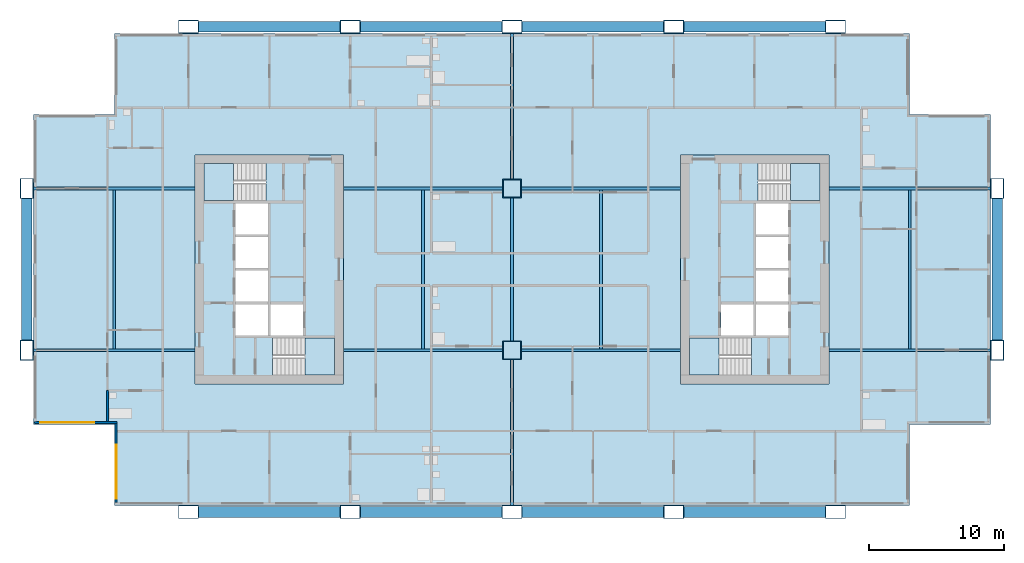
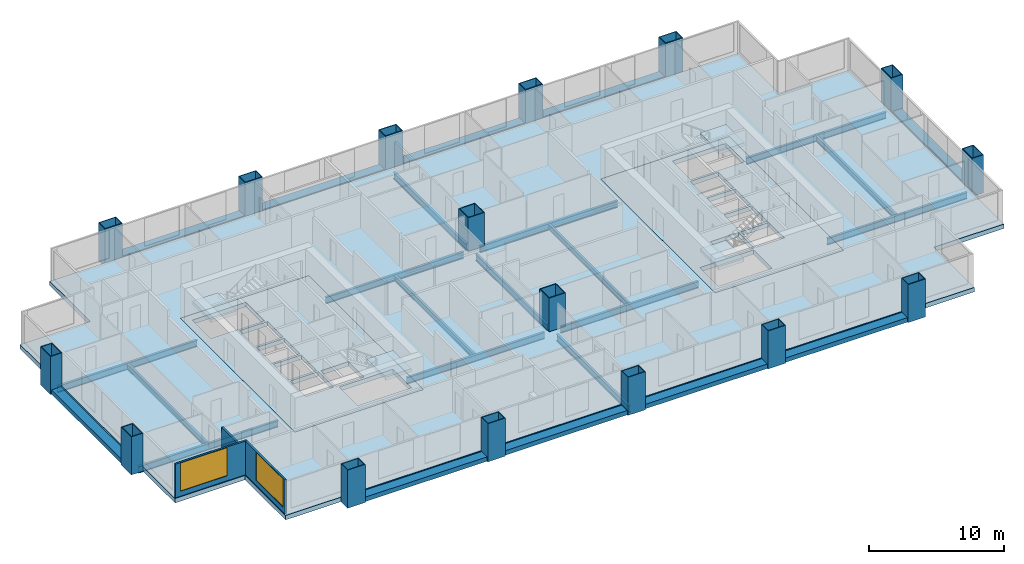
# One storey, part 1 of 11: 25 beams, 16 columns, 7 slabs, 3 walls, 2 windows, 2 openings, 4 elements without a shape of their own.
"""IFC4 building model written with IfcOpenShell, lengths in metres."""

from ifc_helpers import new_model, si_unit, direction, frame, frame_2d, origin, origin_2d, place, context, subcontext, project, spatial, polyline, rectangle, hollow_rectangle, i_section, outline, extrude, material, layer, layer_set, material_profile, profile_set, type_object, element, fill, aggregate, save


model = new_model("IFC4")

# Units and contexts
model_context = context("Model", 3, precision=1e-05, world=origin(), true_north=direction((0.0, 1.0)))
body_context = subcontext(model_context, "Body", "Model", "MODEL_VIEW")
ifc_project = project(units=[si_unit("LENGTHUNIT", "METRE"), si_unit("AREAUNIT", "SQUARE_METRE"), si_unit("VOLUMEUNIT", "CUBIC_METRE"), si_unit("PLANEANGLEUNIT", "RADIAN"), si_unit("MASSUNIT", "GRAM", prefix="KILO")], contexts=[model_context])

# Site, building, storey
site_placement = place(None, origin())
site = spatial("IfcSite", under=ifc_project, at=site_placement, CompositionType="ELEMENT")
building_placement = place(site_placement, origin())
building = spatial("IfcBuilding", under=site, at=building_placement, Name="Kitamizu Gate Tower and Museum", CompositionType="ELEMENT")
storey_placement = place(building_placement, frame((0.0, 0.0, 110.39990234375)))
storey = spatial("IfcBuildingStorey", under=building, at=storey_placement, Name="L28", CompositionType="ELEMENT", Elevation=110.39990234375)

# Columns
ifc_material_1 = material(Name="Steel SM490A bronze coated", Category="steel")
ifc_material_profile_1 = material_profile(ifc_material_1, hollow_rectangle(XDim=1.5, YDim=1.0, WallThickness=0.06005859375, at=origin_2d()), Name="BOX 1500x1000x60")
ifc_profile_set_1 = profile_set([ifc_material_profile_1], Name="Steel SM490A bronze coated")
column_type_1 = type_object("IfcColumnType", Name="Exoskeleton column XC4 BOX 1500x1000x60", PredefinedType="COLUMN", material=ifc_profile_set_1)
for number, where, z_axis, x_axis, name in (
    (1, (0.0, 24.0, -0.39990234375), (0.0, 0.0, 1.0), (0.0, 1.0, 0.0), "Column XC4 1C L28"),
    (2, (0.0, 36.0, -0.39990234375), (0.0, 0.0, 1.0), (0.0, 1.0, 0.0), "Column XC4 1D L28"),
    (3, (12.0, 12.0, -0.39990234375), (0.0, 0.0, 1.0), (1.0, 0.0, 0.0), "Column XC4 2B L28"),
    (4, (12.0, 48.0, -0.39990234375), (0.0, 0.0, 1.0), (1.0, 0.0, 0.0), "Column XC4 2E L28"),
    (5, (24.0, 12.0, -0.39990234375), (0.0, 0.0, 1.0), (1.0, 0.0, 0.0), "Column XC4 3B L28"),
    (6, (24.0, 48.0, -0.39990234375), (0.0, 0.0, 1.0), (1.0, 0.0, 0.0), "Column XC4 3E L28"),
    (7, (36.0, 12.0, -0.39990234375), (0.0, 0.0, 1.0), (1.0, 0.0, 0.0), "Column XC4 4B L28"),
    (8, (36.0, 48.0, -0.39990234375), (0.0, 0.0, 1.0), (1.0, 0.0, 0.0), "Column XC4 4E L28"),
    (9, (48.0, 12.0, -0.39990234375), (0.0, 0.0, 1.0), (1.0, 0.0, 0.0), "Column XC4 5B L28"),
    (10, (48.0, 48.0, -0.39990234375), (0.0, 0.0, 1.0), (1.0, 0.0, 0.0), "Column XC4 5E L28"),
    (11, (60.0, 12.0, -0.39990234375), (0.0, 0.0, 1.0), (1.0, 0.0, 0.0), "Column XC4 6B L28"),
    (12, (60.0, 48.0, -0.39990234375), (0.0, 0.0, 1.0), (1.0, 0.0, 0.0), "Column XC4 6E L28"),
    (13, (72.0, 24.0, -0.39990234375), (0.0, 0.0, 1.0), (0.0, 1.0, 0.0), "Column XC4 7C L28"),
    (14, (72.0, 36.0, -0.39990234375), (0.0, 0.0, 1.0), (0.0, 1.0, 0.0), "Column XC4 7D L28"),
):
    element("IfcColumn", number, at=place(storey_placement, frame(where, z_axis=z_axis, x_axis=x_axis)), inside=storey, type_object=column_type_1, Name=name, PredefinedType="COLUMN", context=body_context, shape_type="SweptSolid", body=[
        extrude(hollow_rectangle(XDim=1.5, YDim=1.0, WallThickness=0.06005859375, at=origin_2d()), origin(), (0.0, 0.0, 1.0), 3.449951171875),
    ])
ifc_material_2 = material(Name="Steel SM490A", Category="steel")
ifc_material_profile_2 = material_profile(ifc_material_2, hollow_rectangle(XDim=1.39990234375, YDim=1.39990234375, WallThickness=0.06005859375, at=origin_2d()), Name="BOX 1400x1400x60")
ifc_profile_set_2 = profile_set([ifc_material_profile_2], Name="Steel SM490A")
column_type_2 = type_object("IfcColumnType", Name="Interior column IC3 BOX 1400x1400x60", PredefinedType="COLUMN", material=ifc_profile_set_2)
for number, where, z_axis, x_axis, name in (
    (15, (36.0, 24.0, 0.0), (0.0, 0.0, 1.0), (1.0, 0.0, 0.0), "Column IC3 4C L28"),
    (16, (36.0, 36.0, 0.0), (0.0, 0.0, 1.0), (1.0, 0.0, 0.0), "Column IC3 4D L28"),
):
    element("IfcColumn", number, at=place(storey_placement, frame(where, z_axis=z_axis, x_axis=x_axis)), inside=storey, type_object=column_type_2, Name=name, PredefinedType="COLUMN", context=body_context, shape_type="SweptSolid", body=[
        extrude(hollow_rectangle(XDim=1.39990234375, YDim=1.39990234375, WallThickness=0.06005859375, at=origin_2d()), origin(), (0.0, 0.0, 1.0), 3.050048828125),
    ])

# Beams
ifc_material_3 = material(Name="Steel SM490A bronze coated", Category="steel")
ifc_material_profile_3 = material_profile(ifc_material_3, hollow_rectangle(XDim=0.800048828125, YDim=0.39990234375, WallThickness=0.0400390625, at=origin_2d()), Name="BOX 800x400x40")
ifc_profile_set_3 = profile_set([ifc_material_profile_3], Name="Steel SM490A bronze coated")
beam_type_1 = type_object("IfcBeamType", Name="Exoskeleton spandrel beam SB1 BOX 800x400x40", PredefinedType="SPANDREL", material=ifc_profile_set_3)
for number, where, z_axis, x_axis, name in (
    (17, (12.75, 12.0, -0.199951171875), (1.0, 0.0, 0.0), (0.0, 1.0, 0.0), "Exoskeleton spandrel beam south 12 L28"),
    (18, (24.75, 12.0, -0.199951171875), (1.0, 0.0, 0.0), (0.0, 1.0, 0.0), "Exoskeleton spandrel beam south 24 L28"),
    (19, (36.75, 12.0, -0.199951171875), (1.0, 0.0, 0.0), (0.0, 1.0, 0.0), "Exoskeleton spandrel beam south 36 L28"),
    (20, (48.75, 12.0, -0.199951171875), (1.0, 0.0, 0.0), (0.0, 1.0, 0.0), "Exoskeleton spandrel beam south 48 L28"),
    (21, (12.75, 48.0, -0.199951171875), (1.0, 0.0, 0.0), (0.0, 1.0, 0.0), "Exoskeleton spandrel beam north 12 L28"),
    (22, (24.75, 48.0, -0.199951171875), (1.0, 0.0, 0.0), (0.0, 1.0, 0.0), "Exoskeleton spandrel beam north 24 L28"),
    (23, (36.75, 48.0, -0.199951171875), (1.0, 0.0, 0.0), (0.0, 1.0, 0.0), "Exoskeleton spandrel beam north 36 L28"),
    (24, (48.75, 48.0, -0.199951171875), (1.0, 0.0, 0.0), (0.0, 1.0, 0.0), "Exoskeleton spandrel beam north 48 L28"),
    (25, (0.0, 24.75, -0.199951171875), (0.0, 1.0, 0.0), (-1.0, 0.0, 0.0), "Exoskeleton spandrel beam west 24 L28"),
    (26, (72.0, 24.75, -0.199951171875), (0.0, 1.0, 0.0), (-1.0, 0.0, 0.0), "Exoskeleton spandrel beam east 24 L28"),
):
    element("IfcBeam", number, at=place(storey_placement, frame(where, z_axis=z_axis, x_axis=x_axis)), inside=storey, type_object=beam_type_1, Name=name, PredefinedType="SPANDREL", context=body_context, shape_type="SweptSolid", body=[
        extrude(hollow_rectangle(XDim=0.800048828125, YDim=0.39990234375, WallThickness=0.0400390625, at=origin_2d()), origin(), (0.0, 0.0, 1.0), 10.5),
    ])
ifc_material_4 = material(Name="Steel SM490A", Category="steel")
ifc_material_profile_4 = material_profile(ifc_material_4, i_section(OverallWidth=0.199951171875, OverallDepth=0.5, WebThickness=0.010009765625, FlangeThickness=0.01611328125, FilletRadius=0.02001953125, at=origin_2d()), Name="H-500x200x10x16")
ifc_profile_set_4 = profile_set([ifc_material_profile_4], Name="Steel SM490A")
beam_type_2 = type_object("IfcBeamType", Name="Floor beam FB1 H 500x200x10x16", PredefinedType="BEAM", material=ifc_profile_set_4)
for number, where, z_axis, x_axis, name in (
    (27, (6.5, 24.10009765625, -0.64990234375), (0.0, 1.0, 0.0), (-1.0, 0.0, 0.0), "Floor beam FB1 L28-1"),
    (28, (29.39990234375, 24.10009765625, -0.64990234375), (0.0, 1.0, 0.0), (-1.0, 0.0, 0.0), "Floor beam FB1 L28-2"),
    (29, (42.60009765625, 24.10009765625, -0.64990234375), (0.0, 1.0, 0.0), (-1.0, 0.0, 0.0), "Floor beam FB1 L28-3"),
    (30, (65.5, 24.10009765625, -0.64990234375), (0.0, 1.0, 0.0), (-1.0, 0.0, 0.0), "Floor beam FB1 L28-4"),
):
    element("IfcBeam", number, at=place(storey_placement, frame(where, z_axis=z_axis, x_axis=x_axis)), inside=storey, type_object=beam_type_2, Name=name, PredefinedType="BEAM", context=body_context, shape_type="SweptSolid", body=[
        extrude(i_section(OverallWidth=0.199951171875, OverallDepth=0.5, WebThickness=0.010009765625, FlangeThickness=0.01611328125, FilletRadius=0.02001953125, at=origin_2d()), origin(), (0.0, 0.0, 1.0), 11.7998046875),
    ])
ifc_material_5 = material(Name="Steel SM490A", Category="steel")
ifc_material_profile_5 = material_profile(ifc_material_5, i_section(OverallWidth=0.199951171875, OverallDepth=0.60009765625, WebThickness=0.010986328125, FlangeThickness=0.01708984375, FilletRadius=0.02197265625, at=origin_2d()), Name="H-600x200x11x17")
ifc_profile_set_5 = profile_set([ifc_material_profile_5], Name="Steel SM490A")
beam_type_3 = type_object("IfcBeamType", Name="Floor girder FG1 H 600x200x11x17", PredefinedType="BEAM", material=ifc_profile_set_5)
beam_1_placement = place(storey_placement, frame((36.0, 12.5, -0.699951171875), z_axis=(0.0, 1.0, 0.0), x_axis=(-1.0, 0.0, 0.0)))
element("IfcBeam", 31, at=beam_1_placement, inside=storey, type_object=beam_type_3, Name="Floor girder FG1 x36 L28", PredefinedType="BEAM", context=body_context, shape_type="SweptSolid", body=[
    extrude(i_section(OverallWidth=0.199951171875, OverallDepth=0.60009765625, WebThickness=0.010986328125, FlangeThickness=0.01708984375, FilletRadius=0.02197265625, at=origin_2d()), origin(), (0.0, 0.0, 1.0), 10.800048828125),
])
beam_2_placement = place(storey_placement, frame((36.0, 24.699951171875, -0.699951171875), z_axis=(0.0, 1.0, 0.0), x_axis=(-1.0, 0.0, 0.0)))
element("IfcBeam", 32, at=beam_2_placement, inside=storey, type_object=beam_type_3, Name="Floor girder FG1 x36 L28", PredefinedType="BEAM", context=body_context, shape_type="SweptSolid", body=[
    extrude(i_section(OverallWidth=0.199951171875, OverallDepth=0.60009765625, WebThickness=0.010986328125, FlangeThickness=0.01708984375, FilletRadius=0.02197265625, at=origin_2d()), origin(), (0.0, 0.0, 1.0), 10.60009765625),
])
beam_3_placement = place(storey_placement, frame((36.0, 36.699951171875, -0.699951171875), z_axis=(0.0, 1.0, 0.0), x_axis=(-1.0, 0.0, 0.0)))
element("IfcBeam", 33, at=beam_3_placement, inside=storey, type_object=beam_type_3, Name="Floor girder FG1 x36 L28", PredefinedType="BEAM", context=body_context, shape_type="SweptSolid", body=[
    extrude(i_section(OverallWidth=0.199951171875, OverallDepth=0.60009765625, WebThickness=0.010986328125, FlangeThickness=0.01708984375, FilletRadius=0.02197265625, at=origin_2d()), origin(), (0.0, 0.0, 1.0), 10.800048828125),
])
beam_4_placement = place(storey_placement, frame((0.5, 24.0, -0.699951171875), z_axis=(1.0, 0.0, 0.0), x_axis=(0.0, 1.0, 0.0)))
element("IfcBeam", 34, at=beam_4_placement, inside=storey, type_object=beam_type_3, Name="Floor girder FG1 y24 L28", PredefinedType="BEAM", context=body_context, shape_type="SweptSolid", body=[
    extrude(i_section(OverallWidth=0.199951171875, OverallDepth=0.60009765625, WebThickness=0.010986328125, FlangeThickness=0.01708984375, FilletRadius=0.02197265625, at=origin_2d()), origin(), (0.0, 0.0, 1.0), 12.0),
])
for number, where, z_axis, x_axis, name in (
    (35, (23.5, 24.0, -0.699951171875), (1.0, 0.0, 0.0), (0.0, 1.0, 0.0), "Floor girder FG1 y24 L28"),
    (36, (36.699951171875, 24.0, -0.699951171875), (1.0, 0.0, 0.0), (0.0, 1.0, 0.0), "Floor girder FG1 y24 L28"),
):
    element("IfcBeam", number, at=place(storey_placement, frame(where, z_axis=z_axis, x_axis=x_axis)), inside=storey, type_object=beam_type_3, Name=name, PredefinedType="BEAM", context=body_context, shape_type="SweptSolid", body=[
        extrude(i_section(OverallWidth=0.199951171875, OverallDepth=0.60009765625, WebThickness=0.010986328125, FlangeThickness=0.01708984375, FilletRadius=0.02197265625, at=origin_2d()), origin(), (0.0, 0.0, 1.0), 11.800048828125),
    ])
for number, where, z_axis, x_axis, name in (
    (37, (59.5, 24.0, -0.699951171875), (1.0, 0.0, 0.0), (0.0, 1.0, 0.0), "Floor girder FG1 y24 L28"),
    (38, (0.5, 36.0, -0.699951171875), (1.0, 0.0, 0.0), (0.0, 1.0, 0.0), "Floor girder FG1 y36 L28"),
):
    element("IfcBeam", number, at=place(storey_placement, frame(where, z_axis=z_axis, x_axis=x_axis)), inside=storey, type_object=beam_type_3, Name=name, PredefinedType="BEAM", context=body_context, shape_type="SweptSolid", body=[
        extrude(i_section(OverallWidth=0.199951171875, OverallDepth=0.60009765625, WebThickness=0.010986328125, FlangeThickness=0.01708984375, FilletRadius=0.02197265625, at=origin_2d()), origin(), (0.0, 0.0, 1.0), 12.0),
    ])
for number, where, z_axis, x_axis, name in (
    (39, (23.5, 36.0, -0.699951171875), (1.0, 0.0, 0.0), (0.0, 1.0, 0.0), "Floor girder FG1 y36 L28"),
    (40, (36.699951171875, 36.0, -0.699951171875), (1.0, 0.0, 0.0), (0.0, 1.0, 0.0), "Floor girder FG1 y36 L28"),
):
    element("IfcBeam", number, at=place(storey_placement, frame(where, z_axis=z_axis, x_axis=x_axis)), inside=storey, type_object=beam_type_3, Name=name, PredefinedType="BEAM", context=body_context, shape_type="SweptSolid", body=[
        extrude(i_section(OverallWidth=0.199951171875, OverallDepth=0.60009765625, WebThickness=0.010986328125, FlangeThickness=0.01708984375, FilletRadius=0.02197265625, at=origin_2d()), origin(), (0.0, 0.0, 1.0), 11.800048828125),
    ])
beam_5_placement = place(storey_placement, frame((59.5, 36.0, -0.699951171875), z_axis=(1.0, 0.0, 0.0), x_axis=(0.0, 1.0, 0.0)))
element("IfcBeam", 41, at=beam_5_placement, inside=storey, type_object=beam_type_3, Name="Floor girder FG1 y36 L28", PredefinedType="BEAM", context=body_context, shape_type="SweptSolid", body=[
    extrude(i_section(OverallWidth=0.199951171875, OverallDepth=0.60009765625, WebThickness=0.010986328125, FlangeThickness=0.01708984375, FilletRadius=0.02197265625, at=origin_2d()), origin(), (0.0, 0.0, 1.0), 12.0),
])

# Slabs
ifc_material_6 = material(Name="Concrete Fc36", Category="concrete")
ifc_layer_1 = layer(ifc_material_6, 0.39990234375)
ifc_layer_set_1 = layer_set([ifc_layer_1], Name="Concrete Fc36")
slab_type_1 = type_object("IfcSlabType", Name="Core floor slab 400", PredefinedType="FLOOR", material=ifc_layer_set_1)
slab_1_placement = place(storey_placement, frame((0.0, 0.0, -0.39990234375)))
element("IfcSlab", 42, at=slab_1_placement, inside=storey, type_object=slab_type_1, Name="Core floor slab W", PredefinedType="FLOOR", context=body_context, shape_type="SweptSolid", body=[
    extrude(outline(polyline([(12.5, 21.5), (23.5, 21.5), (23.5, 38.5), (12.5, 38.5), (12.5, 21.5)]), holes=[polyline([(15.5, 25.10009765625), (17.89990234375, 25.10009765625), (17.89990234375, 27.39990234375), (15.5, 27.39990234375), (15.5, 25.10009765625)]), polyline([(15.5, 27.60009765625), (17.89990234375, 27.60009765625), (17.89990234375, 29.89990234375), (15.5, 29.89990234375), (15.5, 27.60009765625)]), polyline([(15.5, 30.10009765625), (17.89990234375, 30.10009765625), (17.89990234375, 32.39990234375), (15.5, 32.39990234375), (15.5, 30.10009765625)]), polyline([(15.5, 32.60009765625), (17.89990234375, 32.60009765625), (17.89990234375, 34.89990234375), (15.5, 34.89990234375), (15.5, 32.60009765625)]), polyline([(18.10009765625, 25.10009765625), (20.5, 25.10009765625), (20.5, 27.39990234375), (18.10009765625, 27.39990234375), (18.10009765625, 25.10009765625)]), polyline([(18.25048828125, 22.14990234375), (22.85009765625, 22.14990234375), (22.85009765625, 24.89990234375), (18.25048828125, 24.89990234375), (18.25048828125, 22.14990234375)]), polyline([(13.14990234375, 35.10009765625), (17.74951171875, 35.10009765625), (17.74951171875, 37.85009765625), (13.14990234375, 37.85009765625), (13.14990234375, 35.10009765625)])]), origin(), (0.0, 0.0, 1.0), 0.39990234375),
])
slab_2_placement = place(storey_placement, frame((0.0, 0.0, -0.39990234375)))
element("IfcSlab", 43, at=slab_2_placement, inside=storey, type_object=slab_type_1, Name="Core floor slab E", PredefinedType="FLOOR", context=body_context, shape_type="SweptSolid", body=[
    extrude(outline(polyline([(48.5, 21.5), (59.5, 21.5), (59.5, 38.5), (48.5, 38.5), (48.5, 21.5)]), holes=[polyline([(54.10009765625, 25.10009765625), (56.5, 25.10009765625), (56.5, 27.39990234375), (54.10009765625, 27.39990234375), (54.10009765625, 25.10009765625)]), polyline([(54.10009765625, 27.60009765625), (56.5, 27.60009765625), (56.5, 29.89990234375), (54.10009765625, 29.89990234375), (54.10009765625, 27.60009765625)]), polyline([(54.10009765625, 30.10009765625), (56.5, 30.10009765625), (56.5, 32.39990234375), (54.10009765625, 32.39990234375), (54.10009765625, 30.10009765625)]), polyline([(54.10009765625, 32.60009765625), (56.5, 32.60009765625), (56.5, 34.89990234375), (54.10009765625, 34.89990234375), (54.10009765625, 32.60009765625)]), polyline([(51.5, 25.10009765625), (53.89990234375, 25.10009765625), (53.89990234375, 27.39990234375), (51.5, 27.39990234375), (51.5, 25.10009765625)]), polyline([(49.14990234375, 22.14990234375), (53.74951171875, 22.14990234375), (53.74951171875, 24.89990234375), (49.14990234375, 24.89990234375), (49.14990234375, 22.14990234375)]), polyline([(54.25048828125, 35.10009765625), (58.85009765625, 35.10009765625), (58.85009765625, 37.85009765625), (54.25048828125, 37.85009765625), (54.25048828125, 35.10009765625)])]), origin(), (0.0, 0.0, 1.0), 0.39990234375),
])
ifc_material_7 = material(Name="Concrete Fc36", Category="concrete")
ifc_layer_2 = layer(ifc_material_7, 0.39990234375)
ifc_layer_set_2 = layer_set([ifc_layer_2], Name="Concrete Fc36")
slab_type_2 = type_object("IfcSlabType", Name="Post tensioned flat slab 400", PredefinedType="FLOOR", material=ifc_layer_set_2)
slab_3_placement = place(storey_placement, frame((0.0, 0.0, -0.39990234375)))
element("IfcSlab", 44, at=slab_3_placement, inside=storey, type_object=slab_type_2, Name="Floor slab L28-1", PredefinedType="FLOOR", context=body_context, shape_type="SweptSolid", body=[
    extrude(outline(polyline([(0.5, 18.5), (0.5, 41.5), (6.5, 41.5), (6.5, 47.5), (65.5, 47.5), (65.5, 41.5), (71.5, 41.5), (71.5, 18.5), (65.5, 18.5), (65.5, 12.5), (6.5, 12.5), (6.5, 18.5), (0.5, 18.5)]), holes=[polyline([(59.5, 38.5), (48.5, 38.5), (48.5, 21.5), (59.5, 21.5), (59.5, 38.5)]), polyline([(12.5, 38.5), (12.5, 21.5), (23.5, 21.5), (23.5, 38.5), (12.5, 38.5)])]), origin(), (0.0, 0.0, 1.0), 0.39990234375),
])

# Stair, slab
ifc_material_8 = material(Name="Concrete Fc42", Category="concrete")
stair_type = type_object("IfcStairType", Name="Exit stair 1275 wide 192 rise 300 going", PredefinedType="HALF_TURN_STAIR", material=ifc_material_8)
stair_1_placement = place(storey_placement, origin())
stair_1 = element("IfcStair", 45, at=stair_1_placement, inside=storey, type_object=stair_type, Name="Exit stair ST1", PredefinedType="HALF_TURN_STAIR")
ifc_material_9 = material(Name="Concrete Fc42", Category="concrete")
ifc_layer_3 = layer(ifc_material_9, 0.300048828125)
ifc_layer_set_3 = layer_set([ifc_layer_3], Name="Concrete Fc42")
slab_type_3 = type_object("IfcSlabType", Name="Stair landing 300", PredefinedType="LANDING", material=ifc_layer_set_3)
slab_4_placement = place(storey_placement, frame((0.0, 0.0, 1.425048828125)))
slab_4 = element("IfcSlab", 46, at=slab_4_placement, type_object=slab_type_3, Name="ST1 landing 1", PredefinedType="LANDING", context=body_context, shape_type="SweptSolid", body=[
    extrude(outline(polyline([(20.64990234375, 22.14990234375), (22.85009765625, 22.14990234375), (22.85009765625, 24.89990234375), (20.64990234375, 24.89990234375), (20.64990234375, 22.14990234375)])), origin(), (0.0, 0.0, 1.0), 0.300048828125),
])
aggregate(stair_1, [slab_4])

stair_2_placement = place(storey_placement, origin())
stair_2 = element("IfcStair", 47, at=stair_2_placement, inside=storey, type_object=stair_type, Name="Exit stair ST2", PredefinedType="HALF_TURN_STAIR")
slab_5_placement = place(storey_placement, frame((0.0, 0.0, 1.425048828125)))
slab_5 = element("IfcSlab", 48, at=slab_5_placement, type_object=slab_type_3, Name="ST2 landing 1", PredefinedType="LANDING", context=body_context, shape_type="SweptSolid", body=[
    extrude(outline(polyline([(13.14990234375, 35.10009765625), (15.35009765625, 35.10009765625), (15.35009765625, 37.85009765625), (13.14990234375, 37.85009765625), (13.14990234375, 35.10009765625)])), origin(), (0.0, 0.0, 1.0), 0.300048828125),
])
aggregate(stair_2, [slab_5])

stair_3_placement = place(storey_placement, origin())
stair_3 = element("IfcStair", 49, at=stair_3_placement, inside=storey, type_object=stair_type, Name="Exit stair ST3", PredefinedType="HALF_TURN_STAIR")
slab_6_placement = place(storey_placement, frame((0.0, 0.0, 1.425048828125)))
slab_6 = element("IfcSlab", 50, at=slab_6_placement, type_object=slab_type_3, Name="ST3 landing 1", PredefinedType="LANDING", context=body_context, shape_type="SweptSolid", body=[
    extrude(outline(polyline([(49.14990234375, 22.14990234375), (51.35009765625, 22.14990234375), (51.35009765625, 24.89990234375), (49.14990234375, 24.89990234375), (49.14990234375, 22.14990234375)])), origin(), (0.0, 0.0, 1.0), 0.300048828125),
])
aggregate(stair_3, [slab_6])

stair_4_placement = place(storey_placement, origin())
stair_4 = element("IfcStair", 51, at=stair_4_placement, inside=storey, type_object=stair_type, Name="Exit stair ST4", PredefinedType="HALF_TURN_STAIR")
slab_7_placement = place(storey_placement, frame((0.0, 0.0, 1.425048828125)))
slab_7 = element("IfcSlab", 52, at=slab_7_placement, type_object=slab_type_3, Name="ST4 landing 1", PredefinedType="LANDING", context=body_context, shape_type="SweptSolid", body=[
    extrude(outline(polyline([(56.64990234375, 35.10009765625), (58.85009765625, 35.10009765625), (58.85009765625, 37.85009765625), (56.64990234375, 37.85009765625), (56.64990234375, 35.10009765625)])), origin(), (0.0, 0.0, 1.0), 0.300048828125),
])
aggregate(stair_4, [slab_7])

# Wall
ifc_material_10 = material(Name="Gypsum board on galvanised stud")
ifc_layer_4 = layer(ifc_material_10, 0.14990234375)
ifc_layer_set_4 = layer_set([ifc_layer_4], Name="Gypsum board on galvanised stud")
wall_type_1 = type_object("IfcWallType", Name="Partition 150", PredefinedType="PARTITIONING", material=ifc_layer_set_4)
wall_1_placement = place(storey_placement, frame((6.0, 18.719970703125, 0.0), z_axis=(0.0, 0.0, 1.0), x_axis=(0.0, 1.0, 0.0)))
element("IfcWall", 53, at=wall_1_placement, inside=storey, type_object=wall_type_1, Name="Partition L28-020", PredefinedType="PARTITIONING", context=body_context, shape_type="SweptSolid", body=[
    extrude(rectangle(XDim=2.280029296875, YDim=0.14990234375, at=frame_2d((1.14013671875, 0.0))), origin(), (0.0, 0.0, 1.0), 3.050048828125),
])

# Wall, opening, window
ifc_material_11 = material(Name="Bronze anodised aluminium frame with insulated spandrel and tinted glass", Category="aluminium")
ifc_layer_5 = layer(ifc_material_11, 0.14990234375)
ifc_layer_set_5 = layer_set([ifc_layer_5], Name="Bronze anodised aluminium frame with insulated spandrel and tinted glass")
wall_type_2 = type_object("IfcWallType", Name="WINDOW WALL 150 BRONZE FRAME EI 30", PredefinedType="ELEMENTEDWALL", material=ifc_layer_set_5)
wall_2_placement = place(storey_placement, frame((0.56005859375, 18.635009765625, 0.0), z_axis=(0.0, 0.0, 1.0), x_axis=(1.0, 0.0, 0.0)))
wall_2 = element("IfcWall", 54, at=wall_2_placement, inside=storey, type_object=wall_type_2, Name="Window wall south L28", PredefinedType="ELEMENTEDWALL", context=body_context, shape_type="SweptSolid", body=[
    extrude(rectangle(XDim=6.14990234375, YDim=0.14990234375, at=frame_2d((3.074951171875, 0.0))), origin(), (0.0, 0.0, 1.0), 3.050048828125),
])
opening_1_placement = place(wall_2_placement, frame((0.43994140625, 0.0, 0.449951171875)))
opening_1 = element("IfcOpeningElement", 55, at=opening_1_placement, cuts=wall_2, Name="Opening W16", PredefinedType="OPENING", context=body_context, shape_type="SweptSolid", body=[
    extrude(rectangle(XDim=4.0, YDim=2.550048828125, at=frame_2d((2.0, 1.27490234375))), frame((0.0, 0.0849609375, 0.0), z_axis=(0.0, -1.0, 0.0), x_axis=(1.0, 0.0, 0.0)), (0.0, 0.0, 1.0), 0.169921875),
])
ifc_material_12 = material(Name="Bronze anodised aluminium frame, tinted triple glazing", Category="aluminium")
window_type = type_object("IfcWindowType", Name="WINDOW 4000 x 2550 SILL 450", PartitioningType="SINGLE_PANEL", PredefinedType="WINDOW", material=ifc_material_12)
window_1_placement = place(opening_1_placement, origin())
window_1 = element("IfcWindow", 56, at=window_1_placement, inside=storey, type_object=window_type, Name="Window W16 L28", OverallHeight=2.550048828125, OverallWidth=4.0, PartitioningType="SINGLE_PANEL", PredefinedType="WINDOW", context=body_context, shape_type="SweptSolid", body=[
    extrude(rectangle(XDim=4.0, YDim=2.550048828125, at=frame_2d((2.0, 1.27490234375))), frame((0.0, 0.030029296875, 0.0), z_axis=(0.0, -1.0, 0.0), x_axis=(1.0, 0.0, 0.0)), (0.0, 0.0, 1.0), 0.06005859375),
])
fill(opening_1, window_1)

wall_3_placement = place(storey_placement, frame((6.635009765625, 12.7099609375, 0.0), z_axis=(0.0, 0.0, 1.0), x_axis=(0.0, 1.0, 0.0)))
wall_3 = element("IfcWall", 57, at=wall_3_placement, inside=storey, type_object=wall_type_2, Name="Window wall west L28", PredefinedType="ELEMENTEDWALL", context=body_context, shape_type="SweptSolid", body=[
    extrude(rectangle(XDim=5.85009765625, YDim=0.14990234375, at=frame_2d((2.925048828125, 0.0))), origin(), (0.0, 0.0, 1.0), 3.050048828125),
])
opening_2_placement = place(wall_3_placement, frame((0.2900390625, 0.0, 0.449951171875)))
opening_2 = element("IfcOpeningElement", 58, at=opening_2_placement, cuts=wall_3, Name="Opening W16", PredefinedType="OPENING", context=body_context, shape_type="SweptSolid", body=[
    extrude(rectangle(XDim=4.0, YDim=2.550048828125, at=frame_2d((2.0, 1.27490234375))), frame((0.0, 0.0849609375, 0.0), z_axis=(0.0, -1.0, 0.0), x_axis=(1.0, 0.0, 0.0)), (0.0, 0.0, 1.0), 0.169921875),
])
window_2_placement = place(opening_2_placement, origin())
window_2 = element("IfcWindow", 59, at=window_2_placement, inside=storey, type_object=window_type, Name="Window W16 L28", OverallHeight=2.550048828125, OverallWidth=4.0, PartitioningType="SINGLE_PANEL", PredefinedType="WINDOW", context=body_context, shape_type="SweptSolid", body=[
    extrude(rectangle(XDim=4.0, YDim=2.550048828125, at=frame_2d((2.0, 1.27490234375))), frame((0.0, 0.030029296875, 0.0), z_axis=(0.0, -1.0, 0.0), x_axis=(1.0, 0.0, 0.0)), (0.0, 0.0, 1.0), 0.06005859375),
])
fill(opening_2, window_2)

save(model, "model.ifc")
